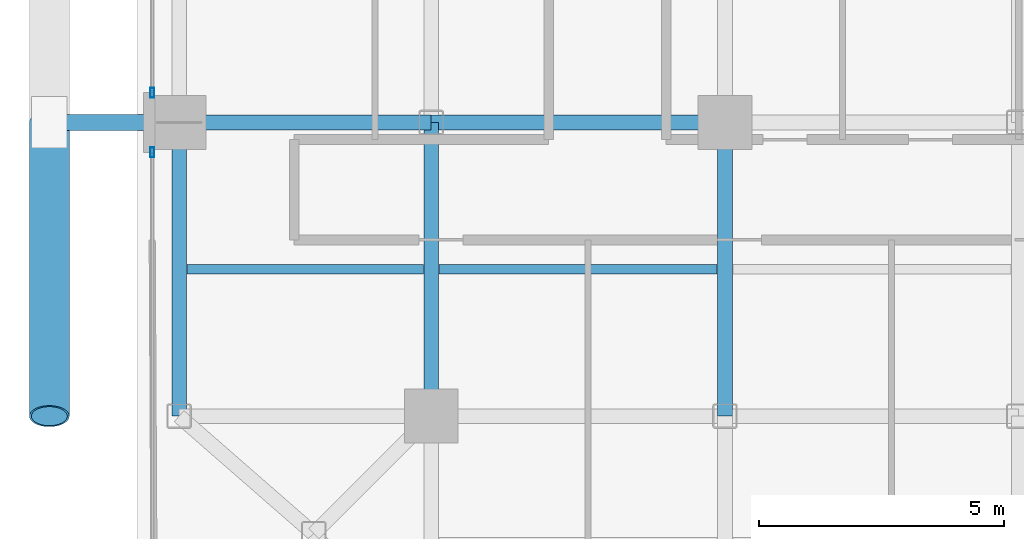
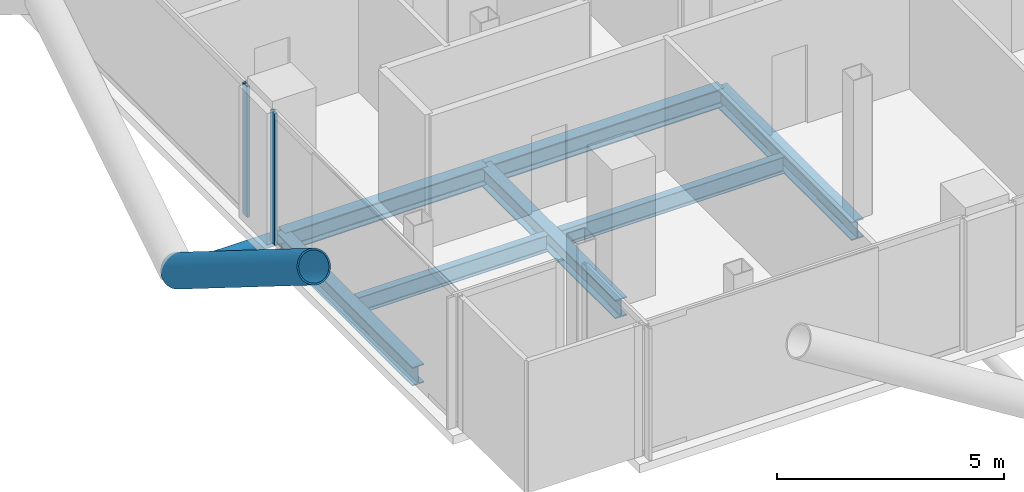
# One storey, part 3 of 28: 7 beams, 4 members, 2 elements without a shape of their own.
"""IFC4 building model written with IfcOpenShell, lengths in metres."""

from ifc_helpers import new_model, si_unit, direction, frame, origin, origin_2d, place, context, subcontext, project, spatial, hollow_rectangle, hollow_circle, i_section, extrude, material, layer, layer_set, material_profile, profile_set, type_object, element, aggregate, save


model = new_model("IFC4")

# Units and contexts
model_context = context("Model", 3, precision=1e-05, world=origin(), true_north=direction((0.0, 1.0)))
body_context = subcontext(model_context, "Body", "Model", "MODEL_VIEW")
ifc_project = project(units=[si_unit("LENGTHUNIT", "METRE"), si_unit("AREAUNIT", "SQUARE_METRE"), si_unit("VOLUMEUNIT", "CUBIC_METRE"), si_unit("PLANEANGLEUNIT", "RADIAN"), si_unit("MASSUNIT", "GRAM", prefix="KILO"), si_unit("THERMODYNAMICTEMPERATUREUNIT", "KELVIN"), si_unit("POWERUNIT", "WATT")], contexts=[model_context])

# Site, building, storey
site_placement = place(None, origin())
site = spatial("IfcSite", under=ifc_project, at=site_placement, CompositionType="ELEMENT")
building_placement = place(site_placement, origin())
building = spatial("IfcBuilding", under=site, at=building_placement, Name="Svarakhadi Broadcast Tower", CompositionType="ELEMENT")
storey_placement = place(building_placement, frame((0.0, 0.0, 153.14990234375)))
storey = spatial("IfcBuildingStorey", under=building, at=storey_placement, Name="L37", CompositionType="ELEMENT", Elevation=153.14990234375)

# Beams
ifc_material_1 = material(Name="Steel S355J2 (IS 2062 E350C)", Category="steel")
ifc_material_profile_1 = material_profile(ifc_material_1, i_section(OverallWidth=0.18994140625, OverallDepth=0.449951171875, WebThickness=0.009521484375, FlangeThickness=0.0146484375, FilletRadius=0.02099609375, at=origin_2d()), Name="NPB 450x190x78")
ifc_profile_set_1 = profile_set([ifc_material_profile_1], Name="Steel S355J2 (IS 2062 E350C)")
beam_type_1 = type_object("IfcBeamType", Name="Beam_NPB450", PredefinedType="BEAM", material=ifc_profile_set_1)
beam_1_placement = place(storey_placement, frame((1.010009765625, 9.0, -0.449951171875), z_axis=(1.0, 0.0, 0.0), x_axis=(0.0, 1.0, 0.0)))
element("IfcBeam", 1, at=beam_1_placement, inside=storey, type_object=beam_type_1, Name="L37 Secondary Composite Beam SB001", PredefinedType="BEAM", context=body_context, shape_type="SweptSolid", body=[
    extrude(i_section(OverallWidth=0.18994140625, OverallDepth=0.449951171875, WebThickness=0.009521484375, FlangeThickness=0.0146484375, FilletRadius=0.02099609375, at=origin_2d()), origin(), (0.0, 0.0, 1.0), 4.830078125),
])
beam_2_placement = place(storey_placement, frame((6.159912109375, 9.0, -0.449951171875), z_axis=(1.0, 0.0, 0.0), x_axis=(0.0, 1.0, 0.0)))
element("IfcBeam", 2, at=beam_2_placement, inside=storey, type_object=beam_type_1, Name="L37 Secondary Composite Beam SB007", PredefinedType="BEAM", context=body_context, shape_type="SweptSolid", body=[
    extrude(i_section(OverallWidth=0.18994140625, OverallDepth=0.449951171875, WebThickness=0.009521484375, FlangeThickness=0.0146484375, FilletRadius=0.02099609375, at=origin_2d()), origin(), (0.0, 0.0, 1.0), 5.68017578125),
])

# Curtain wall, member
ifc_material_2 = material(Name="Anodised Bronze Aluminium AA 6063-T6", Category="aluminium")
ifc_layer = layer(ifc_material_2, 0.199951171875)
ifc_layer_set = layer_set([ifc_layer], Name="Anodised Bronze Aluminium AA 6063-T6")
curtain_wall_type = type_object("IfcCurtainWallType", Name="CW_Sys_03", PredefinedType="NOTDEFINED", material=ifc_layer_set)
curtain_wall_1_placement = place(storey_placement, origin())
curtain_wall_1 = element("IfcCurtainWall", 3, at=curtain_wall_1_placement, inside=storey, type_object=curtain_wall_type, Name="L37 West Curtain Wall 02 Bay 1", PredefinedType="NOTDEFINED")
ifc_material_profile_2 = material_profile(ifc_material_2, hollow_rectangle(XDim=0.074951171875, YDim=0.199951171875, WallThickness=0.005615234375, at=origin_2d()), Name="ALU MULLION 200x75x6")
ifc_profile_set_2 = profile_set([ifc_material_profile_2], Name="Anodised Bronze Aluminium AA 6063-T6")
member_type_1 = type_object("IfcMemberType", Name="CW_Sys_03_Mul", PredefinedType="MULLION", material=ifc_profile_set_2)
member_1_placement = place(storey_placement, frame((0.300048828125, 11.392578125, 0.0), z_axis=(0.0, 0.0, 1.0), x_axis=(-1.0, 0.0, 0.0)))
member_1 = element("IfcMember", 4, at=member_1_placement, type_object=member_type_1, Name="CW-03 mullion 2", PredefinedType="MULLION", context=body_context, shape_type="SweptSolid", body=[
    extrude(hollow_rectangle(XDim=0.074951171875, YDim=0.199951171875, WallThickness=0.005615234375, at=origin_2d()), origin(), (0.0, 0.0, 1.0), 3.525146484375),
])
aggregate(curtain_wall_1, [member_1])

curtain_wall_2_placement = place(storey_placement, origin())
curtain_wall_2 = element("IfcCurtainWall", 5, at=curtain_wall_2_placement, inside=storey, type_object=curtain_wall_type, Name="L37 West Curtain Wall 02 Bay 2", PredefinedType="NOTDEFINED")
member_2_placement = place(storey_placement, frame((0.300048828125, 12.607421875, 0.0), z_axis=(0.0, 0.0, 1.0), x_axis=(-1.0, 0.0, 0.0)))
member_2 = element("IfcMember", 6, at=member_2_placement, type_object=member_type_1, Name="CW-03 mullion 1", PredefinedType="MULLION", context=body_context, shape_type="SweptSolid", body=[
    extrude(hollow_rectangle(XDim=0.074951171875, YDim=0.199951171875, WallThickness=0.005615234375, at=origin_2d()), origin(), (0.0, 0.0, 1.0), 3.525146484375),
])
aggregate(curtain_wall_2, [member_2])

# Members
ifc_material_3 = material(Name="Steel S460ML (IS 2062 E450BR)", Category="steel")
ifc_material_profile_3 = material_profile(ifc_material_3, hollow_circle(Radius=0.406494140625, WallThickness=0.0400390625, at=origin_2d()), Name="CHS 813x40")
ifc_profile_set_3 = profile_set([ifc_material_profile_3], Name="Steel S460ML (IS 2062 E450BR)")
member_type_2 = type_object("IfcMemberType", Name="Exo_Brace_CHS813", PredefinedType="BRACE", material=ifc_profile_set_3)
member_3_placement = place(storey_placement, frame((-1.800048828125, 12.0, -0.386962890625), z_axis=(0.0, -0.847998304005, 0.529998940003), x_axis=(1.0, 0.0, 0.0)))
element("IfcMember", 7, at=member_3_placement, inside=storey, type_object=member_type_2, Name="L37 Exposed Bronze Exoskeleton Diagonal W05", PredefinedType="BRACE", context=body_context, shape_type="SweptSolid", body=[
    extrude(hollow_circle(Radius=0.406494140625, WallThickness=0.0400390625, at=origin_2d()), origin(), (0.0, 0.0, 1.0), 7.075439453125),
])
ifc_material_profile_4 = material_profile(ifc_material_3, hollow_circle(Radius=0.161865234375, WallThickness=0.01611328125, at=origin_2d()), Name="CHS 323.9x16")
ifc_profile_set_4 = profile_set([ifc_material_profile_4], Name="Steel S460ML (IS 2062 E450BR)")
member_type_3 = type_object("IfcMemberType", Name="Exo_Radial_Strut_Z2", PredefinedType="STRUT", material=ifc_profile_set_4)
member_4_placement = place(storey_placement, frame((-1.800048828125, 12.0, -0.386962890625), z_axis=(1.0, 0.0, 0.0), x_axis=(0.0, 1.0, 0.0)))
element("IfcMember", 8, at=member_4_placement, inside=storey, type_object=member_type_3, Name="L37 Exoskeleton Radial Tie Strut W03", PredefinedType="STRUT", context=body_context, shape_type="SweptSolid", body=[
    extrude(hollow_circle(Radius=0.161865234375, WallThickness=0.01611328125, at=origin_2d()), origin(), (0.0, 0.0, 1.0), 2.650146484375),
])

# Beams
ifc_material_profile_5 = material_profile(ifc_material_1, i_section(OverallWidth=0.300048828125, OverallDepth=0.5, WebThickness=0.014404296875, FlangeThickness=0.028076171875, FilletRadius=0.027099609375, at=origin_2d()), Name="WPB 500x300x187")
ifc_profile_set_5 = profile_set([ifc_material_profile_5], Name="Steel S355J2 (IS 2062 E350C)")
beam_type_2 = type_object("IfcBeamType", Name="Girder_WPB500", PredefinedType="USERDEFINED", material=ifc_profile_set_5)
beam_3_placement = place(storey_placement, frame((0.85009765625, 12.0, -0.474853515625), z_axis=(1.0, 0.0, 0.0), x_axis=(0.0, 1.0, 0.0)))
element("IfcBeam", 9, at=beam_3_placement, inside=storey, type_object=beam_type_2, Name="L37 Primary E-W Girder G017", ObjectType="GIRDER", PredefinedType="USERDEFINED", context=body_context, shape_type="SweptSolid", body=[
    extrude(i_section(OverallWidth=0.300048828125, OverallDepth=0.5, WebThickness=0.014404296875, FlangeThickness=0.028076171875, FilletRadius=0.027099609375, at=origin_2d()), origin(), (0.0, 0.0, 1.0), 5.14990234375),
])
for number, where, z_axis, x_axis, name in (
    (10, (6.0, 12.0, -0.474853515625), (1.0, 0.0, 0.0), (0.0, 1.0, 0.0), "L37 Primary E-W Girder G018"),
    (11, (0.85009765625, 6.0, -0.474853515625), (0.0, 1.0, 0.0), (-1.0, 0.0, 0.0), "L37 Primary N-S Girder G040"),
    (12, (6.0, 6.0, -0.474853515625), (0.0, 1.0, 0.0), (-1.0, 0.0, 0.0), "L37 Primary N-S Girder G046"),
    (13, (12.0, 6.0, -0.474853515625), (0.0, 1.0, 0.0), (-1.0, 0.0, 0.0), "L37 Primary N-S Girder G052"),
):
    element("IfcBeam", number, at=place(storey_placement, frame(where, z_axis=z_axis, x_axis=x_axis)), inside=storey, type_object=beam_type_2, Name=name, ObjectType="GIRDER", PredefinedType="USERDEFINED", context=body_context, shape_type="SweptSolid", body=[
        extrude(i_section(OverallWidth=0.300048828125, OverallDepth=0.5, WebThickness=0.014404296875, FlangeThickness=0.028076171875, FilletRadius=0.027099609375, at=origin_2d()), origin(), (0.0, 0.0, 1.0), 6.0),
    ])

save(model, "model.ifc")
